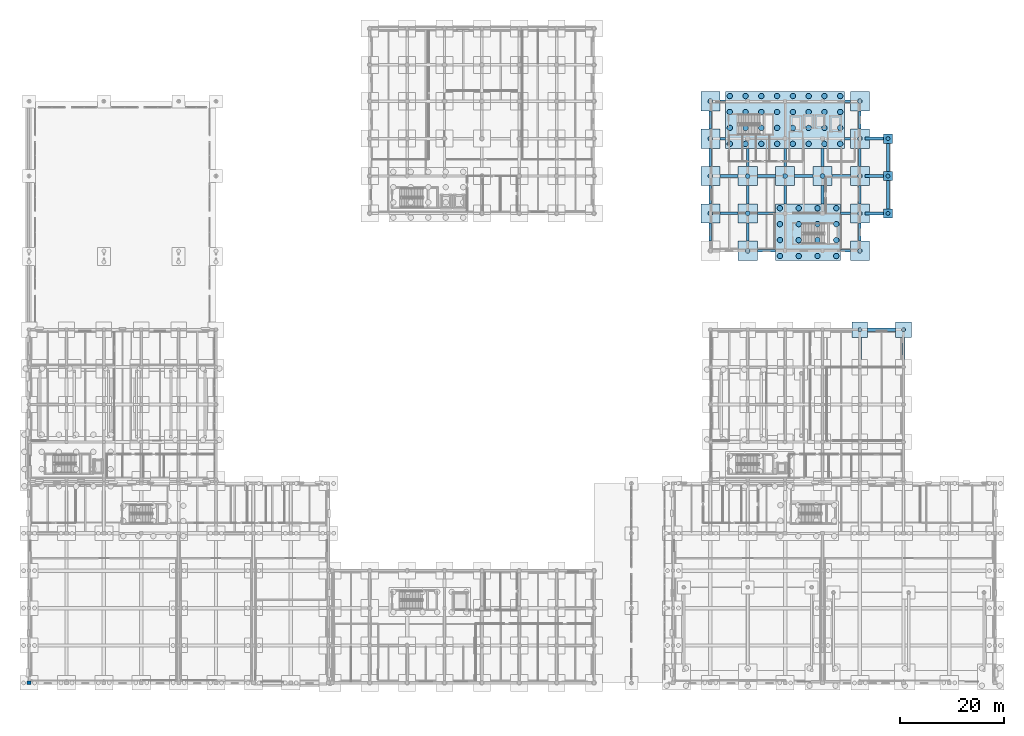
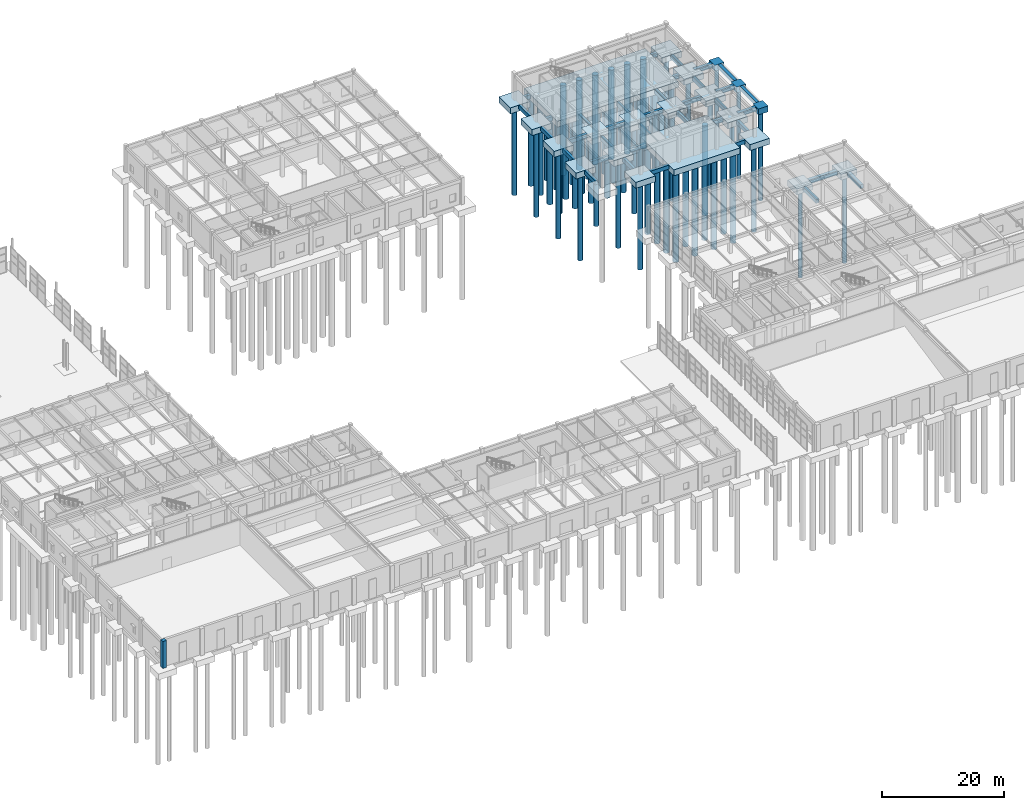
# One storey, part 7 of 91: 67 piles, 57 footings, 1 column.
"""IFC4 building model written with IfcOpenShell, lengths in metres."""

from ifc_helpers import new_model, si_unit, direction, frame, origin, origin_with_axes, origin_2d, place, context, subcontext, project, spatial, rectangle, circle, extrude, material, material_profile, profile_set, type_object, element, save


model = new_model("IFC4")

# Units and contexts
model_context = context("Model", 3, precision=1e-05, world=origin(), true_north=direction((0.0, 1.0)))
body_context = subcontext(model_context, "Body", "Model", "MODEL_VIEW")
ifc_project = project(units=[si_unit("LENGTHUNIT", "METRE"), si_unit("AREAUNIT", "SQUARE_METRE"), si_unit("VOLUMEUNIT", "CUBIC_METRE"), si_unit("PLANEANGLEUNIT", "RADIAN"), si_unit("MASSUNIT", "GRAM", prefix="KILO")], contexts=[model_context])

# Site, building, storey
site_placement = place(None, origin())
site = spatial("IfcSite", under=ifc_project, at=site_placement, CompositionType="ELEMENT")
building_placement = place(site_placement, origin())
building = spatial("IfcBuilding", under=site, at=building_placement, Name="Bramveld Media Centre", CompositionType="ELEMENT")
storey_placement = place(building_placement, origin())
storey = spatial("IfcBuildingStorey", under=building, at=storey_placement, Name="L00", CompositionType="ELEMENT", Elevation=0.0)

# Footings
ifc_material_1 = material(Name="Concrete C35/45", Category="concrete")
footing_type_1 = type_object("IfcFootingType", Name="GB-500x800", PredefinedType="FOOTING_BEAM", material=ifc_material_1)
footing_1_placement = place(storey_placement, frame((142.0, 83.199951171875, -0.7998046875), z_axis=(0.0, 0.0, 1.0), x_axis=(1.0, 0.0, 0.0)))
element("IfcFooting", 1, at=footing_1_placement, inside=storey, type_object=footing_type_1, Name="V7 ground beam X-324", PredefinedType="FOOTING_BEAM", context=body_context, shape_type="SweptSolid", body=[
    extrude(rectangle(XDim=3.5, YDim=0.5, at=origin_2d()), origin(), (0.0, 0.0, 1.0), 0.800048828125),
])
footing_2_placement = place(storey_placement, frame((157.22509765625, 83.199951171875, -0.7998046875), z_axis=(0.0, 0.0, 1.0), x_axis=(1.0, 0.0, 0.0)))
element("IfcFooting", 2, at=footing_2_placement, inside=storey, type_object=footing_type_1, Name="V7 ground beam X-325", PredefinedType="FOOTING_BEAM", context=body_context, shape_type="SweptSolid", body=[
    extrude(rectangle(XDim=1.85009765625, YDim=0.5, at=origin_2d()), origin(), (0.0, 0.0, 1.0), 0.800048828125),
])
for number, where, z_axis, x_axis, name in (
    (3, (134.800048828125, 90.39990234375, -0.7998046875), (0.0, 0.0, 1.0), (1.0, 0.0, 0.0), "V7 ground beam X-326"),
    (4, (142.0, 90.39990234375, -0.7998046875), (0.0, 0.0, 1.0), (1.0, 0.0, 0.0), "V7 ground beam X-327"),
):
    element("IfcFooting", number, at=place(storey_placement, frame(where, z_axis=z_axis, x_axis=x_axis)), inside=storey, type_object=footing_type_1, Name=name, PredefinedType="FOOTING_BEAM", context=body_context, shape_type="SweptSolid", body=[
        extrude(rectangle(XDim=3.5, YDim=0.5, at=origin_2d()), origin(), (0.0, 0.0, 1.0), 0.800048828125),
    ])
footing_3_placement = place(storey_placement, frame((157.22509765625, 90.39990234375, -0.7998046875), z_axis=(0.0, 0.0, 1.0), x_axis=(1.0, 0.0, 0.0)))
element("IfcFooting", 5, at=footing_3_placement, inside=storey, type_object=footing_type_1, Name="V7 ground beam X-328", PredefinedType="FOOTING_BEAM", context=body_context, shape_type="SweptSolid", body=[
    extrude(rectangle(XDim=1.85009765625, YDim=0.5, at=origin_2d()), origin(), (0.0, 0.0, 1.0), 0.800048828125),
])
for number, where, z_axis, x_axis, name in (
    (6, (134.800048828125, 97.60009765625, -0.7998046875), (0.0, 0.0, 1.0), (1.0, 0.0, 0.0), "V7 ground beam X-329"),
    (7, (142.0, 97.60009765625, -0.7998046875), (0.0, 0.0, 1.0), (1.0, 0.0, 0.0), "V7 ground beam X-330"),
    (8, (149.199951171875, 97.60009765625, -0.7998046875), (0.0, 0.0, 1.0), (1.0, 0.0, 0.0), "V7 ground beam X-331"),
    (9, (156.39990234375, 97.60009765625, -0.7998046875), (0.0, 0.0, 1.0), (1.0, 0.0, 0.0), "V7 ground beam X-332"),
):
    element("IfcFooting", number, at=place(storey_placement, frame(where, z_axis=z_axis, x_axis=x_axis)), inside=storey, type_object=footing_type_1, Name=name, PredefinedType="FOOTING_BEAM", context=body_context, shape_type="SweptSolid", body=[
        extrude(rectangle(XDim=3.5, YDim=0.5, at=origin_2d()), origin(), (0.0, 0.0, 1.0), 0.800048828125),
    ])
footing_4_placement = place(storey_placement, frame((133.574951171875, 104.800048828125, -0.7998046875), z_axis=(0.0, 0.0, 1.0), x_axis=(1.0, 0.0, 0.0)))
element("IfcFooting", 10, at=footing_4_placement, inside=storey, type_object=footing_type_1, Name="V7 ground beam X-333", PredefinedType="FOOTING_BEAM", context=body_context, shape_type="SweptSolid", body=[
    extrude(rectangle(XDim=1.050048828125, YDim=0.5, at=origin_2d()), origin(), (0.0, 0.0, 1.0), 0.800048828125),
])
footing_5_placement = place(storey_placement, frame((157.60009765625, 104.800048828125, -0.7998046875), z_axis=(0.0, 0.0, 1.0), x_axis=(1.0, 0.0, 0.0)))
element("IfcFooting", 11, at=footing_5_placement, inside=storey, type_object=footing_type_1, Name="V7 ground beam X-334", PredefinedType="FOOTING_BEAM", context=body_context, shape_type="SweptSolid", body=[
    extrude(rectangle(XDim=1.10009765625, YDim=0.5, at=origin_2d()), origin(), (0.0, 0.0, 1.0), 0.800048828125),
])
footing_6_placement = place(storey_placement, frame((133.574951171875, 112.0, -0.7998046875), z_axis=(0.0, 0.0, 1.0), x_axis=(1.0, 0.0, 0.0)))
element("IfcFooting", 12, at=footing_6_placement, inside=storey, type_object=footing_type_1, Name="V7 ground beam X-335", PredefinedType="FOOTING_BEAM", context=body_context, shape_type="SweptSolid", body=[
    extrude(rectangle(XDim=1.050048828125, YDim=0.5, at=origin_2d()), origin(), (0.0, 0.0, 1.0), 0.800048828125),
])
footing_7_placement = place(storey_placement, frame((157.60009765625, 112.0, -0.7998046875), z_axis=(0.0, 0.0, 1.0), x_axis=(1.0, 0.0, 0.0)))
element("IfcFooting", 13, at=footing_7_placement, inside=storey, type_object=footing_type_1, Name="V7 ground beam X-336", PredefinedType="FOOTING_BEAM", context=body_context, shape_type="SweptSolid", body=[
    extrude(rectangle(XDim=1.10009765625, YDim=0.5, at=origin_2d()), origin(), (0.0, 0.0, 1.0), 0.800048828125),
])
for number, where, z_axis, x_axis, name in (
    (14, (131.199951171875, 86.800048828125, -0.7998046875), (0.0, 0.0, 1.0), (1.0, 0.0, 0.0), "V7 ground beam Y-337"),
    (15, (131.199951171875, 94.0, -0.7998046875), (0.0, 0.0, 1.0), (1.0, 0.0, 0.0), "V7 ground beam Y-338"),
    (16, (131.199951171875, 101.199951171875, -0.7998046875), (0.0, 0.0, 1.0), (1.0, 0.0, 0.0), "V7 ground beam Y-339"),
    (17, (131.199951171875, 108.39990234375, -0.7998046875), (0.0, 0.0, 1.0), (1.0, 0.0, 0.0), "V7 ground beam Y-340"),
    (18, (138.39990234375, 86.800048828125, -0.7998046875), (0.0, 0.0, 1.0), (1.0, 0.0, 0.0), "V7 ground beam Y-341"),
    (19, (138.39990234375, 94.0, -0.7998046875), (0.0, 0.0, 1.0), (1.0, 0.0, 0.0), "V7 ground beam Y-342"),
    (20, (138.39990234375, 101.199951171875, -0.7998046875), (0.0, 0.0, 1.0), (1.0, 0.0, 0.0), "V7 ground beam Y-343"),
    (21, (145.60009765625, 94.0, -0.7998046875), (0.0, 0.0, 1.0), (1.0, 0.0, 0.0), "V7 ground beam Y-344"),
    (22, (145.60009765625, 101.199951171875, -0.7998046875), (0.0, 0.0, 1.0), (1.0, 0.0, 0.0), "V7 ground beam Y-345"),
    (23, (152.800048828125, 94.0, -0.7998046875), (0.0, 0.0, 1.0), (1.0, 0.0, 0.0), "V7 ground beam Y-346"),
    (24, (152.800048828125, 101.199951171875, -0.7998046875), (0.0, 0.0, 1.0), (1.0, 0.0, 0.0), "V7 ground beam Y-347"),
    (25, (160.0, 86.800048828125, -0.7998046875), (0.0, 0.0, 1.0), (1.0, 0.0, 0.0), "V7 ground beam Y-348"),
    (26, (160.0, 94.0, -0.7998046875), (0.0, 0.0, 1.0), (1.0, 0.0, 0.0), "V7 ground beam Y-349"),
    (27, (160.0, 101.199951171875, -0.7998046875), (0.0, 0.0, 1.0), (1.0, 0.0, 0.0), "V7 ground beam Y-350"),
    (28, (160.0, 108.39990234375, -0.7998046875), (0.0, 0.0, 1.0), (1.0, 0.0, 0.0), "V7 ground beam Y-351"),
):
    element("IfcFooting", number, at=place(storey_placement, frame(where, z_axis=z_axis, x_axis=x_axis)), inside=storey, type_object=footing_type_1, Name=name, PredefinedType="FOOTING_BEAM", context=body_context, shape_type="SweptSolid", body=[
        extrude(rectangle(XDim=0.5, YDim=3.5, at=origin_2d()), origin(), (0.0, 0.0, 1.0), 0.800048828125),
    ])
ifc_material_2 = material(Name="Concrete C35/45", Category="concrete")
footing_type_2 = type_object("IfcFootingType", Name="GB-600x800", PredefinedType="FOOTING_BEAM", material=ifc_material_2)
footing_8_placement = place(storey_placement, frame((164.199951171875, 68.0, -0.7998046875), z_axis=(0.0, 0.0, 1.0), x_axis=(1.0, 0.0, 0.0)))
element("IfcFooting", 29, at=footing_8_placement, inside=storey, type_object=footing_type_2, Name="V4 ground beam X-183", PredefinedType="FOOTING_BEAM", context=body_context, shape_type="SweptSolid", body=[
    extrude(rectangle(XDim=5.39990234375, YDim=0.60009765625, at=origin_2d()), origin(), (0.0, 0.0, 1.0), 0.800048828125),
])
for number, where, z_axis, x_axis, name in (
    (30, (160.0, 64.39990234375, -0.7998046875), (0.0, 0.0, 1.0), (1.0, 0.0, 0.0), "V4 ground beam Y-201"),
    (31, (168.39990234375, 64.39990234375, -0.7998046875), (0.0, 0.0, 1.0), (1.0, 0.0, 0.0), "V4 ground beam Y-205"),
):
    element("IfcFooting", number, at=place(storey_placement, frame(where, z_axis=z_axis, x_axis=x_axis)), inside=storey, type_object=footing_type_2, Name=name, PredefinedType="FOOTING_BEAM", context=body_context, shape_type="SweptSolid", body=[
        extrude(rectangle(XDim=0.60009765625, YDim=4.199951171875, at=origin_2d()), origin(), (0.0, 0.0, 1.0), 0.800048828125),
    ])
for number, where, z_axis, x_axis, name in (
    (32, (162.75, 90.39990234375, -0.7998046875), (0.0, 0.0, 1.0), (1.0, 0.0, 0.0), "East plaza ground tie beam X-90.4"),
    (33, (162.75, 97.60009765625, -0.7998046875), (0.0, 0.0, 1.0), (1.0, 0.0, 0.0), "East plaza ground tie beam X-97.6"),
    (34, (162.75, 104.800048828125, -0.7998046875), (0.0, 0.0, 1.0), (1.0, 0.0, 0.0), "East plaza ground tie beam X-104.8"),
):
    element("IfcFooting", number, at=place(storey_placement, frame(where, z_axis=z_axis, x_axis=x_axis)), inside=storey, type_object=footing_type_2, Name=name, PredefinedType="FOOTING_BEAM", context=body_context, shape_type="SweptSolid", body=[
        extrude(rectangle(XDim=3.5, YDim=0.60009765625, at=origin_2d()), origin(), (0.0, 0.0, 1.0), 0.800048828125),
    ])
for number, where, z_axis, x_axis, name in (
    (35, (165.39990234375, 94.0, -0.7998046875), (0.0, 0.0, 1.0), (1.0, 0.0, 0.0), "East plaza ground tie beam Y-90.4"),
    (36, (165.39990234375, 101.199951171875, -0.7998046875), (0.0, 0.0, 1.0), (1.0, 0.0, 0.0), "East plaza ground tie beam Y-97.6"),
):
    element("IfcFooting", number, at=place(storey_placement, frame(where, z_axis=z_axis, x_axis=x_axis)), inside=storey, type_object=footing_type_2, Name=name, PredefinedType="FOOTING_BEAM", context=body_context, shape_type="SweptSolid", body=[
        extrude(rectangle(XDim=0.60009765625, YDim=5.39990234375, at=origin_2d()), origin(), (0.0, 0.0, 1.0), 0.800048828125),
    ])
ifc_material_3 = material(Name="Concrete C35/45", Category="concrete")
footing_type_3 = type_object("IfcFootingType", Name="PC-1255x1090x1200", PredefinedType="PILE_CAP", material=ifc_material_3)
footing_9_placement = place(storey_placement, frame((150.02490234375, 86.800048828125, -1.2001953125), z_axis=(0.0, 0.0, 1.0), x_axis=(1.0, 0.0, 0.0)))
element("IfcFooting", 37, at=footing_9_placement, inside=storey, type_object=footing_type_3, Name="Reinforced concrete pile cap 169", PredefinedType="PILE_CAP", context=body_context, shape_type="SweptSolid", body=[
    extrude(rectangle(XDim=12.550048828125, YDim=10.89990234375, at=origin_2d()), origin(), (0.0, 0.0, 1.0), 1.199951171875),
])
ifc_material_4 = material(Name="Concrete C35/45", Category="concrete")
footing_type_4 = type_object("IfcFootingType", Name="PC-180x180x1200", PredefinedType="PILE_CAP", material=ifc_material_4)
for number, where, z_axis, x_axis, name in (
    (38, (165.39990234375, 90.39990234375, -1.2001953125), (0.0, 0.0, 1.0), (1.0, 0.0, 0.0), "East plaza forecourt pile cap 90.4"),
    (39, (165.39990234375, 97.60009765625, -1.2001953125), (0.0, 0.0, 1.0), (1.0, 0.0, 0.0), "East plaza forecourt pile cap 97.6"),
    (40, (165.39990234375, 104.800048828125, -1.2001953125), (0.0, 0.0, 1.0), (1.0, 0.0, 0.0), "East plaza forecourt pile cap 104.8"),
):
    element("IfcFooting", number, at=place(storey_placement, frame(where, z_axis=z_axis, x_axis=x_axis)), inside=storey, type_object=footing_type_4, Name=name, PredefinedType="PILE_CAP", context=body_context, shape_type="SweptSolid", body=[
        extrude(rectangle(XDim=1.800048828125, YDim=1.800048828125, at=origin_2d()), origin(), (0.0, 0.0, 1.0), 1.199951171875),
    ])
ifc_material_5 = material(Name="Concrete C35/45", Category="concrete")
footing_type_5 = type_object("IfcFootingType", Name="PC-2295x1090x1200", PredefinedType="PILE_CAP", material=ifc_material_5)
footing_10_placement = place(storey_placement, frame((145.574951171875, 108.39990234375, -1.2001953125), z_axis=(0.0, 0.0, 1.0), x_axis=(1.0, 0.0, 0.0)))
element("IfcFooting", 41, at=footing_10_placement, inside=storey, type_object=footing_type_5, Name="Reinforced concrete pile cap 158", PredefinedType="PILE_CAP", context=body_context, shape_type="SweptSolid", body=[
    extrude(rectangle(XDim=22.949951171875, YDim=10.89990234375, at=origin_2d()), origin(), (0.0, 0.0, 1.0), 1.199951171875),
])
ifc_material_6 = material(Name="Concrete C35/45", Category="concrete")
footing_type_6 = type_object("IfcFootingType", Name="PC-300x300x1200", PredefinedType="PILE_CAP", material=ifc_material_6)
for number, where, z_axis, x_axis, name in (
    (42, (160.0, 68.0, -1.2001953125), (0.0, 0.0, 1.0), (1.0, 0.0, 0.0), "Reinforced concrete pile cap 202"),
    (43, (168.39990234375, 68.0, -1.2001953125), (0.0, 0.0, 1.0), (1.0, 0.0, 0.0), "Reinforced concrete pile cap 209"),
):
    element("IfcFooting", number, at=place(storey_placement, frame(where, z_axis=z_axis, x_axis=x_axis)), inside=storey, type_object=footing_type_6, Name=name, PredefinedType="PILE_CAP", context=body_context, shape_type="SweptSolid", body=[
        extrude(rectangle(XDim=3.0, YDim=3.0, at=origin_2d()), origin(), (0.0, 0.0, 1.0), 1.199951171875),
    ])
ifc_material_7 = material(Name="Concrete C35/45", Category="concrete")
footing_type_7 = type_object("IfcFootingType", Name="PC-370x370x1200", PredefinedType="PILE_CAP", material=ifc_material_7)
for number, where, z_axis, x_axis, name in (
    (44, (131.199951171875, 90.39990234375, -1.2001953125), (0.0, 0.0, 1.0), (1.0, 0.0, 0.0), "Reinforced concrete pile cap 146"),
    (45, (131.199951171875, 97.60009765625, -1.2001953125), (0.0, 0.0, 1.0), (1.0, 0.0, 0.0), "Reinforced concrete pile cap 147"),
    (46, (131.199951171875, 104.800048828125, -1.2001953125), (0.0, 0.0, 1.0), (1.0, 0.0, 0.0), "Reinforced concrete pile cap 148"),
    (47, (131.199951171875, 112.0, -1.2001953125), (0.0, 0.0, 1.0), (1.0, 0.0, 0.0), "Reinforced concrete pile cap 149"),
    (48, (138.39990234375, 83.199951171875, -1.2001953125), (0.0, 0.0, 1.0), (1.0, 0.0, 0.0), "Reinforced concrete pile cap 159"),
    (49, (138.39990234375, 90.39990234375, -1.2001953125), (0.0, 0.0, 1.0), (1.0, 0.0, 0.0), "Reinforced concrete pile cap 160"),
    (50, (138.39990234375, 97.60009765625, -1.2001953125), (0.0, 0.0, 1.0), (1.0, 0.0, 0.0), "Reinforced concrete pile cap 161"),
    (51, (145.60009765625, 97.60009765625, -1.2001953125), (0.0, 0.0, 1.0), (1.0, 0.0, 0.0), "Reinforced concrete pile cap 170"),
    (52, (152.800048828125, 97.60009765625, -1.2001953125), (0.0, 0.0, 1.0), (1.0, 0.0, 0.0), "Reinforced concrete pile cap 181"),
    (53, (160.0, 83.199951171875, -1.2001953125), (0.0, 0.0, 1.0), (1.0, 0.0, 0.0), "Reinforced concrete pile cap 191"),
    (54, (160.0, 90.39990234375, -1.2001953125), (0.0, 0.0, 1.0), (1.0, 0.0, 0.0), "Reinforced concrete pile cap 192"),
    (55, (160.0, 97.60009765625, -1.2001953125), (0.0, 0.0, 1.0), (1.0, 0.0, 0.0), "Reinforced concrete pile cap 193"),
    (56, (160.0, 104.800048828125, -1.2001953125), (0.0, 0.0, 1.0), (1.0, 0.0, 0.0), "Reinforced concrete pile cap 194"),
    (57, (160.0, 112.0, -1.2001953125), (0.0, 0.0, 1.0), (1.0, 0.0, 0.0), "Reinforced concrete pile cap 195"),
):
    element("IfcFooting", number, at=place(storey_placement, frame(where, z_axis=z_axis, x_axis=x_axis)), inside=storey, type_object=footing_type_7, Name=name, PredefinedType="PILE_CAP", context=body_context, shape_type="SweptSolid", body=[
        extrude(rectangle(XDim=3.699951171875, YDim=3.699951171875, at=origin_2d()), origin(), (0.0, 0.0, 1.0), 1.199951171875),
    ])

# Piles
ifc_material_8 = material(Name="Concrete C35/45", Category="concrete")
ifc_material_profile_1 = material_profile(ifc_material_8, circle(Radius=0.52490234375, at=origin_2d()), Name="BORED D1050")
ifc_profile_set_1 = profile_set([ifc_material_profile_1], Name="Concrete C35/45")
pile_type_1 = type_object("IfcPileType", Name="PILE-BORED-D1050", PredefinedType="BORED", material=ifc_profile_set_1)
for number, where, z_axis, x_axis, name in (
    (58, (134.945068359375, 103.794921875, -1.050048828125), (0.0, 0.0, -1.0), (1.0, 0.0, 0.0), "Bored pile 285"),
    (59, (134.945068359375, 106.864990234375, -1.050048828125), (0.0, 0.0, -1.0), (1.0, 0.0, 0.0), "Bored pile 286"),
    (60, (134.945068359375, 109.93505859375, -1.050048828125), (0.0, 0.0, -1.0), (1.0, 0.0, 0.0), "Bored pile 287"),
    (61, (134.945068359375, 113.0048828125, -1.050048828125), (0.0, 0.0, -1.0), (1.0, 0.0, 0.0), "Bored pile 288"),
    (62, (137.982177734375, 103.794921875, -1.050048828125), (0.0, 0.0, -1.0), (1.0, 0.0, 0.0), "Bored pile 289"),
    (63, (137.982177734375, 106.864990234375, -1.050048828125), (0.0, 0.0, -1.0), (1.0, 0.0, 0.0), "Bored pile 290"),
    (64, (137.982177734375, 109.93505859375, -1.050048828125), (0.0, 0.0, -1.0), (1.0, 0.0, 0.0), "Bored pile 291"),
    (65, (137.982177734375, 113.0048828125, -1.050048828125), (0.0, 0.0, -1.0), (1.0, 0.0, 0.0), "Bored pile 292"),
    (66, (141.019287109375, 103.794921875, -1.050048828125), (0.0, 0.0, -1.0), (1.0, 0.0, 0.0), "Bored pile 293"),
    (67, (141.019287109375, 106.864990234375, -1.050048828125), (0.0, 0.0, -1.0), (1.0, 0.0, 0.0), "Bored pile 294"),
    (68, (141.019287109375, 109.93505859375, -1.050048828125), (0.0, 0.0, -1.0), (1.0, 0.0, 0.0), "Bored pile 295"),
    (69, (141.019287109375, 113.0048828125, -1.050048828125), (0.0, 0.0, -1.0), (1.0, 0.0, 0.0), "Bored pile 296"),
    (70, (144.056396484375, 103.794921875, -1.050048828125), (0.0, 0.0, -1.0), (1.0, 0.0, 0.0), "Bored pile 297"),
    (71, (144.056396484375, 106.864990234375, -1.050048828125), (0.0, 0.0, -1.0), (1.0, 0.0, 0.0), "Bored pile 298"),
    (72, (144.056396484375, 109.93505859375, -1.050048828125), (0.0, 0.0, -1.0), (1.0, 0.0, 0.0), "Bored pile 299"),
    (73, (144.056396484375, 113.0048828125, -1.050048828125), (0.0, 0.0, -1.0), (1.0, 0.0, 0.0), "Bored pile 300"),
    (74, (147.093505859375, 103.794921875, -1.050048828125), (0.0, 0.0, -1.0), (1.0, 0.0, 0.0), "Bored pile 301"),
    (75, (147.093505859375, 106.864990234375, -1.050048828125), (0.0, 0.0, -1.0), (1.0, 0.0, 0.0), "Bored pile 302"),
    (76, (147.093505859375, 109.93505859375, -1.050048828125), (0.0, 0.0, -1.0), (1.0, 0.0, 0.0), "Bored pile 303"),
    (77, (147.093505859375, 113.0048828125, -1.050048828125), (0.0, 0.0, -1.0), (1.0, 0.0, 0.0), "Bored pile 304"),
    (78, (150.130615234375, 103.794921875, -1.050048828125), (0.0, 0.0, -1.0), (1.0, 0.0, 0.0), "Bored pile 305"),
    (79, (150.130615234375, 106.864990234375, -1.050048828125), (0.0, 0.0, -1.0), (1.0, 0.0, 0.0), "Bored pile 306"),
    (80, (150.130615234375, 109.93505859375, -1.050048828125), (0.0, 0.0, -1.0), (1.0, 0.0, 0.0), "Bored pile 307"),
    (81, (150.130615234375, 113.0048828125, -1.050048828125), (0.0, 0.0, -1.0), (1.0, 0.0, 0.0), "Bored pile 308"),
    (82, (153.16796875, 103.794921875, -1.050048828125), (0.0, 0.0, -1.0), (1.0, 0.0, 0.0), "Bored pile 309"),
    (83, (153.16796875, 106.864990234375, -1.050048828125), (0.0, 0.0, -1.0), (1.0, 0.0, 0.0), "Bored pile 310"),
    (84, (153.16796875, 109.93505859375, -1.050048828125), (0.0, 0.0, -1.0), (1.0, 0.0, 0.0), "Bored pile 311"),
    (85, (153.16796875, 113.0048828125, -1.050048828125), (0.0, 0.0, -1.0), (1.0, 0.0, 0.0), "Bored pile 312"),
    (86, (156.205078125, 103.794921875, -1.050048828125), (0.0, 0.0, -1.0), (1.0, 0.0, 0.0), "Bored pile 313"),
    (87, (156.205078125, 106.864990234375, -1.050048828125), (0.0, 0.0, -1.0), (1.0, 0.0, 0.0), "Bored pile 314"),
    (88, (156.205078125, 109.93505859375, -1.050048828125), (0.0, 0.0, -1.0), (1.0, 0.0, 0.0), "Bored pile 315"),
    (89, (156.205078125, 113.0048828125, -1.050048828125), (0.0, 0.0, -1.0), (1.0, 0.0, 0.0), "Bored pile 316"),
    (90, (144.594970703125, 82.195068359375, -1.050048828125), (0.0, 0.0, -1.0), (1.0, 0.0, 0.0), "Bored pile 331"),
    (91, (144.594970703125, 85.264892578125, -1.050048828125), (0.0, 0.0, -1.0), (1.0, 0.0, 0.0), "Bored pile 332"),
    (92, (144.594970703125, 88.3349609375, -1.050048828125), (0.0, 0.0, -1.0), (1.0, 0.0, 0.0), "Bored pile 333"),
    (93, (144.594970703125, 91.405029296875, -1.050048828125), (0.0, 0.0, -1.0), (1.0, 0.0, 0.0), "Bored pile 334"),
    (94, (148.215087890625, 82.195068359375, -1.050048828125), (0.0, 0.0, -1.0), (1.0, 0.0, 0.0), "Bored pile 335"),
    (95, (148.215087890625, 85.264892578125, -1.050048828125), (0.0, 0.0, -1.0), (1.0, 0.0, 0.0), "Bored pile 336"),
    (96, (148.215087890625, 88.3349609375, -1.050048828125), (0.0, 0.0, -1.0), (1.0, 0.0, 0.0), "Bored pile 337"),
    (97, (148.215087890625, 91.405029296875, -1.050048828125), (0.0, 0.0, -1.0), (1.0, 0.0, 0.0), "Bored pile 338"),
    (98, (151.8349609375, 82.195068359375, -1.050048828125), (0.0, 0.0, -1.0), (1.0, 0.0, 0.0), "Bored pile 339"),
    (99, (151.8349609375, 85.264892578125, -1.050048828125), (0.0, 0.0, -1.0), (1.0, 0.0, 0.0), "Bored pile 340"),
    (100, (151.8349609375, 88.3349609375, -1.050048828125), (0.0, 0.0, -1.0), (1.0, 0.0, 0.0), "Bored pile 341"),
    (101, (151.8349609375, 91.405029296875, -1.050048828125), (0.0, 0.0, -1.0), (1.0, 0.0, 0.0), "Bored pile 342"),
    (102, (155.455078125, 82.195068359375, -1.050048828125), (0.0, 0.0, -1.0), (1.0, 0.0, 0.0), "Bored pile 343"),
    (103, (155.455078125, 85.264892578125, -1.050048828125), (0.0, 0.0, -1.0), (1.0, 0.0, 0.0), "Bored pile 344"),
    (104, (155.455078125, 88.3349609375, -1.050048828125), (0.0, 0.0, -1.0), (1.0, 0.0, 0.0), "Bored pile 345"),
    (105, (155.455078125, 91.405029296875, -1.050048828125), (0.0, 0.0, -1.0), (1.0, 0.0, 0.0), "Bored pile 346"),
):
    element("IfcPile", number, at=place(storey_placement, frame(where, z_axis=z_axis, x_axis=x_axis)), inside=storey, type_object=pile_type_1, Name=name, PredefinedType="BORED", context=body_context, shape_type="SweptSolid", body=[
        extrude(circle(Radius=0.52490234375, at=origin_2d()), origin(), (0.0, 0.0, 1.0), 18.0),
    ])
ifc_material_9 = material(Name="Concrete C35/45", Category="concrete")
ifc_material_profile_2 = material_profile(ifc_material_9, circle(Radius=0.375, at=origin_2d()), Name="BORED D750")
ifc_profile_set_2 = profile_set([ifc_material_profile_2], Name="Concrete C35/45")
pile_type_2 = type_object("IfcPileType", Name="PILE-BORED-D750", PredefinedType="BORED", material=ifc_profile_set_2)
for number, where, z_axis, x_axis, name in (
    (106, (160.0, 68.0, -1.050048828125), (0.0, 0.0, -1.0), (1.0, 0.0, 0.0), "Bored pile 399"),
    (107, (168.39990234375, 68.0, -1.050048828125), (0.0, 0.0, -1.0), (1.0, 0.0, 0.0), "Bored pile 408"),
    (108, (165.39990234375, 90.39990234375, -1.050048828125), (0.0, 0.0, -1.0), (1.0, 0.0, 0.0), "East plaza forecourt bored pile 90.4"),
    (109, (165.39990234375, 97.60009765625, -1.050048828125), (0.0, 0.0, -1.0), (1.0, 0.0, 0.0), "East plaza forecourt bored pile 97.6"),
    (110, (165.39990234375, 104.800048828125, -1.050048828125), (0.0, 0.0, -1.0), (1.0, 0.0, 0.0), "East plaza forecourt bored pile 104.8"),
):
    element("IfcPile", number, at=place(storey_placement, frame(where, z_axis=z_axis, x_axis=x_axis)), inside=storey, type_object=pile_type_2, Name=name, PredefinedType="BORED", context=body_context, shape_type="SweptSolid", body=[
        extrude(circle(Radius=0.375, at=origin_2d()), origin(), (0.0, 0.0, 1.0), 18.0),
    ])
ifc_material_10 = material(Name="Concrete C35/45", Category="concrete")
ifc_material_profile_3 = material_profile(ifc_material_10, circle(Radius=0.449951171875, at=origin_2d()), Name="BORED D900")
ifc_profile_set_3 = profile_set([ifc_material_profile_3], Name="Concrete C35/45")
pile_type_3 = type_object("IfcPileType", Name="PILE-BORED-D900", PredefinedType="BORED", material=ifc_profile_set_3)
for number, where, z_axis, x_axis, name in (
    (111, (131.199951171875, 90.39990234375, -1.050048828125), (0.0, 0.0, -1.0), (1.0, 0.0, 0.0), "Bored pile 255"),
    (112, (131.199951171875, 97.60009765625, -1.050048828125), (0.0, 0.0, -1.0), (1.0, 0.0, 0.0), "Bored pile 256"),
    (113, (131.199951171875, 104.800048828125, -1.050048828125), (0.0, 0.0, -1.0), (1.0, 0.0, 0.0), "Bored pile 257"),
    (114, (131.199951171875, 112.0, -1.050048828125), (0.0, 0.0, -1.0), (1.0, 0.0, 0.0), "Bored pile 258"),
    (115, (138.39990234375, 83.199951171875, -1.050048828125), (0.0, 0.0, -1.0), (1.0, 0.0, 0.0), "Bored pile 317"),
    (116, (138.39990234375, 90.39990234375, -1.050048828125), (0.0, 0.0, -1.0), (1.0, 0.0, 0.0), "Bored pile 318"),
    (117, (138.39990234375, 97.60009765625, -1.050048828125), (0.0, 0.0, -1.0), (1.0, 0.0, 0.0), "Bored pile 319"),
    (118, (145.60009765625, 97.60009765625, -1.050048828125), (0.0, 0.0, -1.0), (1.0, 0.0, 0.0), "Bored pile 347"),
    (119, (152.800048828125, 97.60009765625, -1.050048828125), (0.0, 0.0, -1.0), (1.0, 0.0, 0.0), "Bored pile 373"),
    (120, (160.0, 83.199951171875, -1.050048828125), (0.0, 0.0, -1.0), (1.0, 0.0, 0.0), "Bored pile 386"),
    (121, (160.0, 90.39990234375, -1.050048828125), (0.0, 0.0, -1.0), (1.0, 0.0, 0.0), "Bored pile 387"),
    (122, (160.0, 97.60009765625, -1.050048828125), (0.0, 0.0, -1.0), (1.0, 0.0, 0.0), "Bored pile 388"),
    (123, (160.0, 104.800048828125, -1.050048828125), (0.0, 0.0, -1.0), (1.0, 0.0, 0.0), "Bored pile 389"),
    (124, (160.0, 112.0, -1.050048828125), (0.0, 0.0, -1.0), (1.0, 0.0, 0.0), "Bored pile 390"),
):
    element("IfcPile", number, at=place(storey_placement, frame(where, z_axis=z_axis, x_axis=x_axis)), inside=storey, type_object=pile_type_3, Name=name, PredefinedType="BORED", context=body_context, shape_type="SweptSolid", body=[
        extrude(circle(Radius=0.449951171875, at=origin_2d()), origin(), (0.0, 0.0, 1.0), 18.0),
    ])

# Column
ifc_material_11 = material(Name="Concrete C40/50", Category="concrete")
ifc_material_profile_4 = material_profile(ifc_material_11, rectangle(XDim=0.719970703125, YDim=0.719970703125, at=origin_2d()), Name="RC 720x720")
ifc_profile_set_4 = profile_set([ifc_material_profile_4], Name="Concrete C40/50")
column_type = type_object("IfcColumnType", Name="COL-EXT-RC-720x720", PredefinedType="COLUMN", material=ifc_profile_set_4)
column_placement = place(storey_placement, origin_with_axes())
element("IfcColumn", 125, at=column_placement, inside=storey, type_object=column_type, Name="V2 L00 column RC 720x720", PredefinedType="COLUMN", context=body_context, shape_type="SweptSolid", body=[
    extrude(rectangle(XDim=0.719970703125, YDim=0.719970703125, at=origin_2d()), origin(), (0.0, 0.0, 1.0), 5.39990234375),
])

save(model, "model.ifc")
